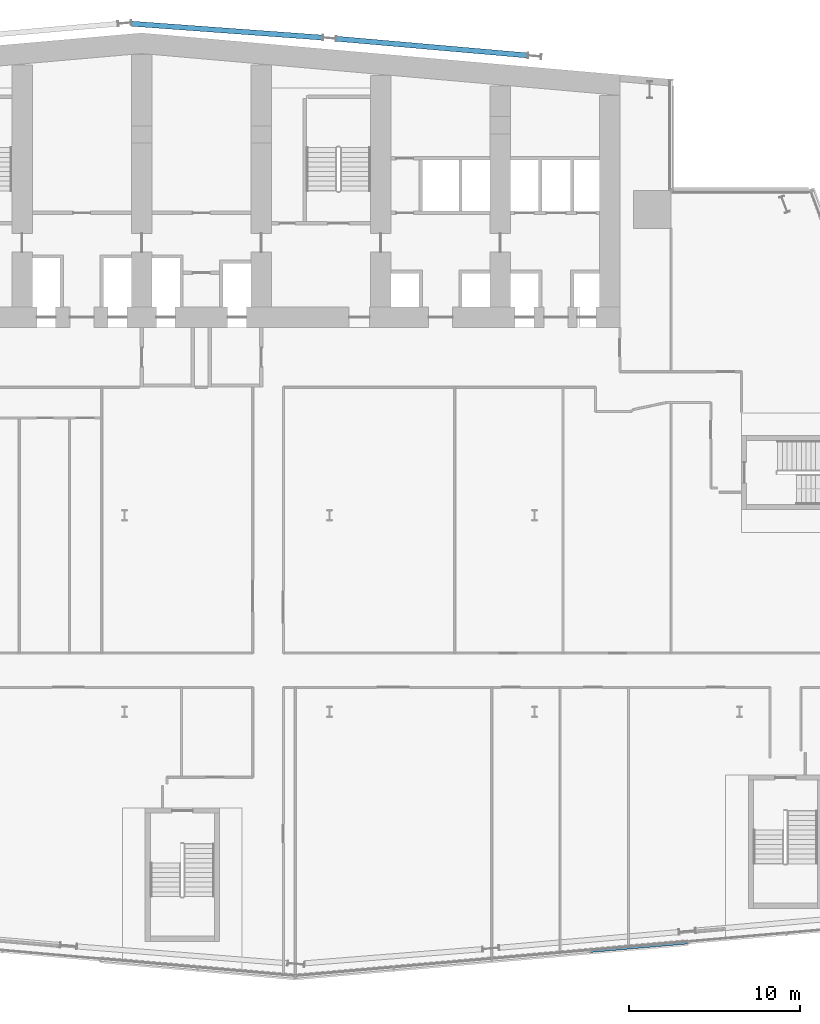
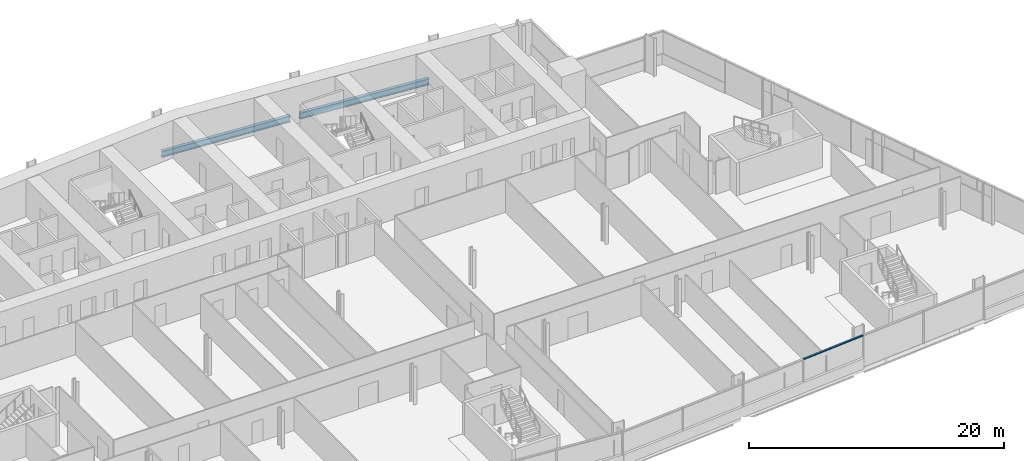
# One storey, part 8 of 24: 2 beams, 1 member, 1 element without a shape of its own.
"""IFC4 building model written with IfcOpenShell, lengths in metres."""

from ifc_helpers import new_model, si_unit, direction, frame, origin, origin_2d, place, context, subcontext, project, spatial, rectangle, i_section, extrude, material, material_profile, profile_set, type_object, element, aggregate, save


model = new_model("IFC4")

# Units and contexts
model_context = context("Model", 3, precision=1e-05, world=origin(), true_north=direction((0.0, 1.0)))
body_context = subcontext(model_context, "Body", "Model", "MODEL_VIEW")
ifc_project = project(units=[si_unit("LENGTHUNIT", "METRE"), si_unit("AREAUNIT", "SQUARE_METRE"), si_unit("VOLUMEUNIT", "CUBIC_METRE"), si_unit("PLANEANGLEUNIT", "RADIAN"), si_unit("MASSUNIT", "GRAM", prefix="KILO")], contexts=[model_context])

# Site, building, storey
site_placement = place(None, origin())
site = spatial("IfcSite", under=ifc_project, at=site_placement, CompositionType="ELEMENT")
building_placement = place(site_placement, origin())
building = spatial("IfcBuilding", under=site, at=building_placement, Name="Wharfspan Tower", CompositionType="ELEMENT")
storey_placement = place(building_placement, frame((0.0, 0.0, 88.300049)))
storey = spatial("IfcBuildingStorey", under=building, at=storey_placement, Name="L19", CompositionType="ELEMENT", Elevation=88.300049)

# Beams
ifc_material_1 = material(Name="Steel S355J2", Category="steel")
ifc_material_profile_1 = material_profile(ifc_material_1, i_section(OverallWidth=0.300049, OverallDepth=0.600098, WebThickness=0.015381, FlangeThickness=0.030029, FilletRadius=0.0271, at=origin_2d()))
ifc_profile_set_1 = profile_set([ifc_material_profile_1], Name="Steel S355J2")
beam_type = type_object("IfcBeamType", Name="Edge beam HEB 600", PredefinedType="SPANDREL", material=ifc_profile_set_1)
beam_1_placement = place(storey_placement, frame((59.598633, 49.919922, -0.699951), z_axis=(-0.996194, 0.087165, 0.0), x_axis=(-0.087165, -0.996194, 0.0)))
element("IfcBeam", 1, at=beam_1_placement, inside=storey, type_object=beam_type, Name="Edge beam N2 L19 R.5 to R.4", PredefinedType="SPANDREL", context=body_context, shape_type="SweptSolid", body=[
    extrude(i_section(OverallWidth=0.300049, OverallDepth=0.600098, WebThickness=0.015381, FlangeThickness=0.030029, FilletRadius=0.0271, at=origin_2d()), origin(), (0.0, 0.0, 1.0), 11.23999),
])
beam_2_placement = place(storey_placement, frame((36.407227, 51.779785, -0.699951), z_axis=(0.997354, -0.072694, 0.0), x_axis=(0.072694, 0.997354, 0.0)))
element("IfcBeam", 2, at=beam_2_placement, inside=storey, type_object=beam_type, Name="Edge beam L19 R.3 to R.4", PredefinedType="SPANDREL", context=body_context, shape_type="SweptSolid", body=[
    extrude(i_section(OverallWidth=0.300049, OverallDepth=0.600098, WebThickness=0.015381, FlangeThickness=0.030029, FilletRadius=0.0271, at=origin_2d()), origin(), (0.0, 0.0, 1.0), 11.220703),
])

# Curtain wall, member
ifc_material_2 = material(Name="Aluminium 6063-T6", Category="aluminium")
curtain_wall_type = type_object("IfcCurtainWallType", Name="CURTAIN WALL FACETED FRONT", PredefinedType="NOTDEFINED", material=ifc_material_2)
curtain_wall_placement = place(storey_placement, origin())
curtain_wall = element("IfcCurtainWall", 3, at=curtain_wall_placement, inside=storey, type_object=curtain_wall_type, Name="Curtain wall S2", PredefinedType="NOTDEFINED")
ifc_material_profile_2 = material_profile(ifc_material_2, rectangle(XDim=0.159912, YDim=0.080078, at=origin_2d()))
ifc_profile_set_2 = profile_set([ifc_material_profile_2], Name="Aluminium 6063-T6")
member_type = type_object("IfcMemberType", Name="TRANSOM FACETED FRONT 80x160", PredefinedType="USERDEFINED", material=ifc_profile_set_2)
member_placement = place(storey_placement, frame((63.279785, -2.512695, 3.109863), z_axis=(0.996195, 0.087148, 0.0), x_axis=(-0.087148, 0.996195, 0.0)))
member = element("IfcMember", 4, at=member_placement, type_object=member_type, Name="Curtain wall S2 transom 4", ObjectType="TRANSOM", PredefinedType="USERDEFINED", context=body_context, shape_type="SweptSolid", body=[
    extrude(rectangle(XDim=0.159912, YDim=0.080078, at=origin_2d()), origin(), (0.0, 0.0, 1.0), 5.712158),
])
aggregate(curtain_wall, [member])

save(model, "model.ifc")
